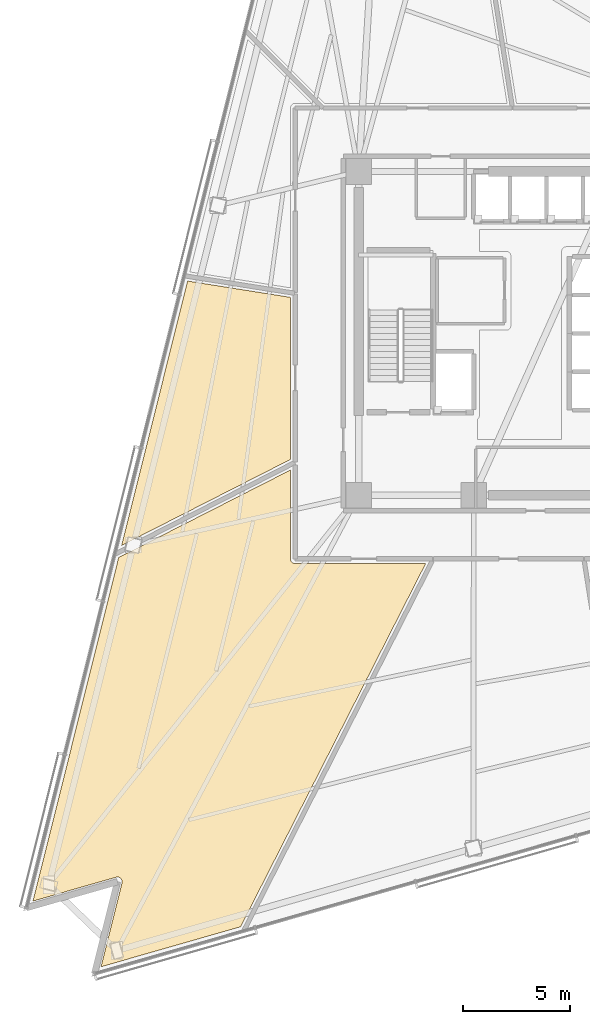
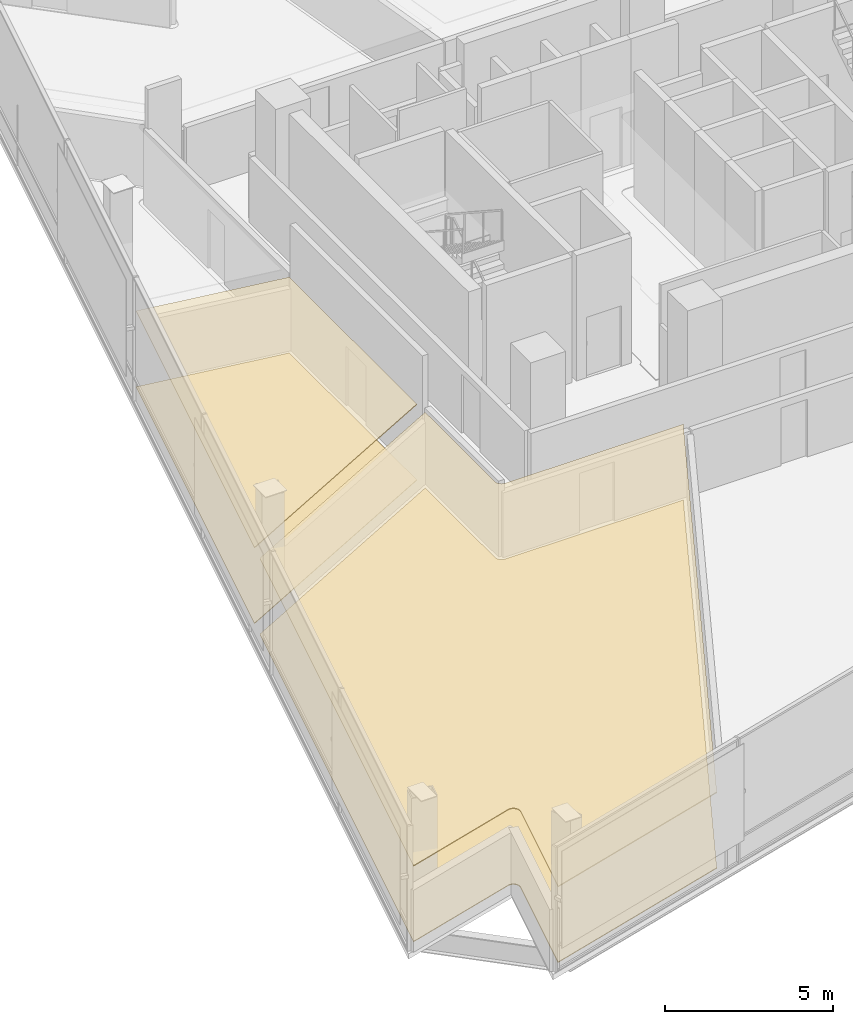
# One storey, part 15 of 18: 4 coverings.
"""IFC4 building model written with IfcOpenShell, lengths in metres."""

from ifc_helpers import new_model, si_unit, direction, frame, origin, place, context, subcontext, project, spatial, polyline, outline, extrude, material, layer, layer_set, type_object, element, save


model = new_model("IFC4")

# Units and contexts
model_context = context("Model", 3, precision=1e-05, world=origin(), true_north=direction((0.0, 1.0)))
body_context = subcontext(model_context, "Body", "Model", "MODEL_VIEW")
ifc_project = project(units=[si_unit("LENGTHUNIT", "METRE"), si_unit("AREAUNIT", "SQUARE_METRE"), si_unit("VOLUMEUNIT", "CUBIC_METRE"), si_unit("PLANEANGLEUNIT", "RADIAN"), si_unit("MASSUNIT", "GRAM", prefix="KILO")], contexts=[model_context])

# Site, building, storey
site_placement = place(None, origin())
site = spatial("IfcSite", under=ifc_project, at=site_placement, CompositionType="ELEMENT")
building_placement = place(site_placement, origin())
building = spatial("IfcBuilding", under=site, at=building_placement, Name="Tharavind Bronze Gate", CompositionType="ELEMENT")
storey_placement = place(building_placement, frame((0.0, 0.0, 107.699951171875)))
storey = spatial("IfcBuildingStorey", under=building, at=storey_placement, Name="L27", CompositionType="ELEMENT", Elevation=107.699951171875)

# Coverings
ifc_material_1 = material(Name="Perforated Bronze Acoustic Panel", Category="bronze")
ifc_layer_1 = layer(ifc_material_1, 0.044921875)
ifc_layer_set_1 = layer_set([ifc_layer_1], Name="Perforated Bronze Acoustic Panel")
covering_type_1 = type_object("IfcCoveringType", Name="ACOUSTIC BRONZE BAFFLE CEILING", PredefinedType="CEILING", material=ifc_layer_set_1)
covering_1_placement = place(storey_placement, frame((0.0, 0.0, 2.75)))
element("IfcCovering", 1, at=covering_1_placement, inside=storey, type_object=covering_type_1, Name="L27-RM-04 suspended ceiling", PredefinedType="CEILING", context=body_context, shape_type="SweptSolid", body=[
    extrude(outline(polyline([(-12.10009765625, -5.918212890625), (-12.10009765625, 1.693603515625), (-16.927001953125, 2.458251953125), (-20.021728515625, -9.95458984375), (-12.10009765625, -5.918212890625)])), origin(), (0.0, 0.0, 1.0), 0.03515625),
])
covering_2_placement = place(storey_placement, frame((0.0, 0.0, 2.75)))
element("IfcCovering", 2, at=covering_2_placement, inside=storey, type_object=covering_type_1, Name="L27-RM-05 suspended ceiling", PredefinedType="CEILING", context=body_context, shape_type="SweptSolid", body=[
    extrude(outline(polyline([(-20.282470703125, -25.5283203125), (-20.27197265625, -25.525634765625), (-20.271484375, -25.525390625), (-20.249755859375, -25.521484375), (-20.227783203125, -25.519775390625), (-20.2060546875, -25.520263671875), (-20.18408203125, -25.52294921875), (-20.162841796875, -25.527587890625), (-20.14208984375, -25.53466796875), (-20.1220703125, -25.54345703125), (-20.102783203125, -25.55419921875), (-20.0849609375, -25.567138671875), (-20.068603515625, -25.58154296875), (-20.053466796875, -25.597412109375), (-20.040283203125, -25.614990234375), (-20.02880859375, -25.633544921875), (-20.01904296875, -25.6533203125), (-20.011474609375, -25.673828125), (-20.005859375, -25.695068359375), (-20.00244140625, -25.716796875), (-20.001220703125, -25.738525390625), (-20.002197265625, -25.760498046875), (-20.005615234375, -25.7822265625), (-20.005615234375, -25.78271484375), (-20.008056640625, -25.79345703125), (-20.98974609375, -29.731201171875), (-14.438720703125, -27.852783203125), (-5.749755859375, -10.800048828125), (-11.87939453125, -10.800048828125), (-11.89013671875, -10.7998046875), (-11.890869140625, -10.7998046875), (-11.912353515625, -10.797607421875), (-11.933349609375, -10.79345703125), (-11.9541015625, -10.787109375), (-11.97412109375, -10.77880859375), (-11.9931640625, -10.768798828125), (-12.010986328125, -10.756591796875), (-12.027587890625, -10.742919921875), (-12.04296875, -10.727783203125), (-12.056640625, -10.7109375), (-12.068603515625, -10.693115234375), (-12.078857421875, -10.674072265625), (-12.087158203125, -10.654052734375), (-12.093505859375, -10.63330078125), (-12.09765625, -10.6123046875), (-12.099609375, -10.5908203125), (-12.099609375, -10.590087890625), (-12.10009765625, -10.579345703125), (-12.10009765625, -6.412109375), (-20.162841796875, -10.5205078125), (-24.18359375, -26.647216796875), (-20.282470703125, -25.5283203125)])), origin(), (0.0, 0.0, 1.0), 0.03515625),
])
ifc_material_2 = material(Name="Engineered Oak & Carpet Tile", Category="wood")
ifc_layer_2 = layer(ifc_material_2, 0.02490234375)
ifc_layer_set_2 = layer_set([ifc_layer_2], Name="Engineered Oak & Carpet Tile")
covering_type_2 = type_object("IfcCoveringType", Name="ENGINEERED TIMBER FLOORING", PredefinedType="FLOORING", material=ifc_layer_set_2)
covering_3_placement = place(storey_placement, origin())
element("IfcCovering", 3, at=covering_3_placement, inside=storey, type_object=covering_type_2, Name="L27-RM-04 floor finish", PredefinedType="FLOORING", context=body_context, shape_type="SweptSolid", body=[
    extrude(outline(polyline([(-12.10009765625, -5.918212890625), (-12.10009765625, 1.693603515625), (-16.927001953125, 2.458251953125), (-20.021728515625, -9.95458984375), (-12.10009765625, -5.918212890625)])), origin(), (0.0, 0.0, 1.0), 0.025146484375),
])
covering_4_placement = place(storey_placement, origin())
element("IfcCovering", 4, at=covering_4_placement, inside=storey, type_object=covering_type_2, Name="L27-RM-05 floor finish", PredefinedType="FLOORING", context=body_context, shape_type="SweptSolid", body=[
    extrude(outline(polyline([(-20.282470703125, -25.5283203125), (-20.27197265625, -25.525634765625), (-20.271484375, -25.525390625), (-20.249755859375, -25.521484375), (-20.227783203125, -25.519775390625), (-20.2060546875, -25.520263671875), (-20.18408203125, -25.52294921875), (-20.162841796875, -25.527587890625), (-20.14208984375, -25.53466796875), (-20.1220703125, -25.54345703125), (-20.102783203125, -25.55419921875), (-20.0849609375, -25.567138671875), (-20.068603515625, -25.58154296875), (-20.053466796875, -25.597412109375), (-20.040283203125, -25.614990234375), (-20.02880859375, -25.633544921875), (-20.01904296875, -25.6533203125), (-20.011474609375, -25.673828125), (-20.005859375, -25.695068359375), (-20.00244140625, -25.716796875), (-20.001220703125, -25.738525390625), (-20.002197265625, -25.760498046875), (-20.005615234375, -25.7822265625), (-20.005615234375, -25.78271484375), (-20.008056640625, -25.79345703125), (-20.98974609375, -29.731201171875), (-14.438720703125, -27.852783203125), (-5.749755859375, -10.800048828125), (-11.87939453125, -10.800048828125), (-11.89013671875, -10.7998046875), (-11.890869140625, -10.7998046875), (-11.912353515625, -10.797607421875), (-11.933349609375, -10.79345703125), (-11.9541015625, -10.787109375), (-11.97412109375, -10.77880859375), (-11.9931640625, -10.768798828125), (-12.010986328125, -10.756591796875), (-12.027587890625, -10.742919921875), (-12.04296875, -10.727783203125), (-12.056640625, -10.7109375), (-12.068603515625, -10.693115234375), (-12.078857421875, -10.674072265625), (-12.087158203125, -10.654052734375), (-12.093505859375, -10.63330078125), (-12.09765625, -10.6123046875), (-12.099609375, -10.5908203125), (-12.099609375, -10.590087890625), (-12.10009765625, -10.579345703125), (-12.10009765625, -6.412109375), (-20.162841796875, -10.5205078125), (-24.18359375, -26.647216796875), (-20.282470703125, -25.5283203125)])), origin(), (0.0, 0.0, 1.0), 0.025146484375),
])

save(model, "model.ifc")
